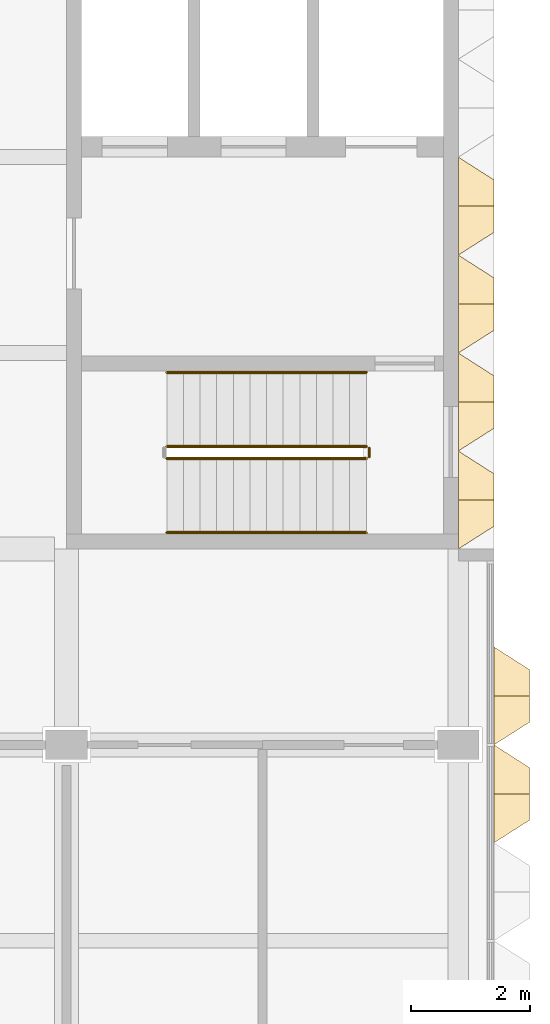
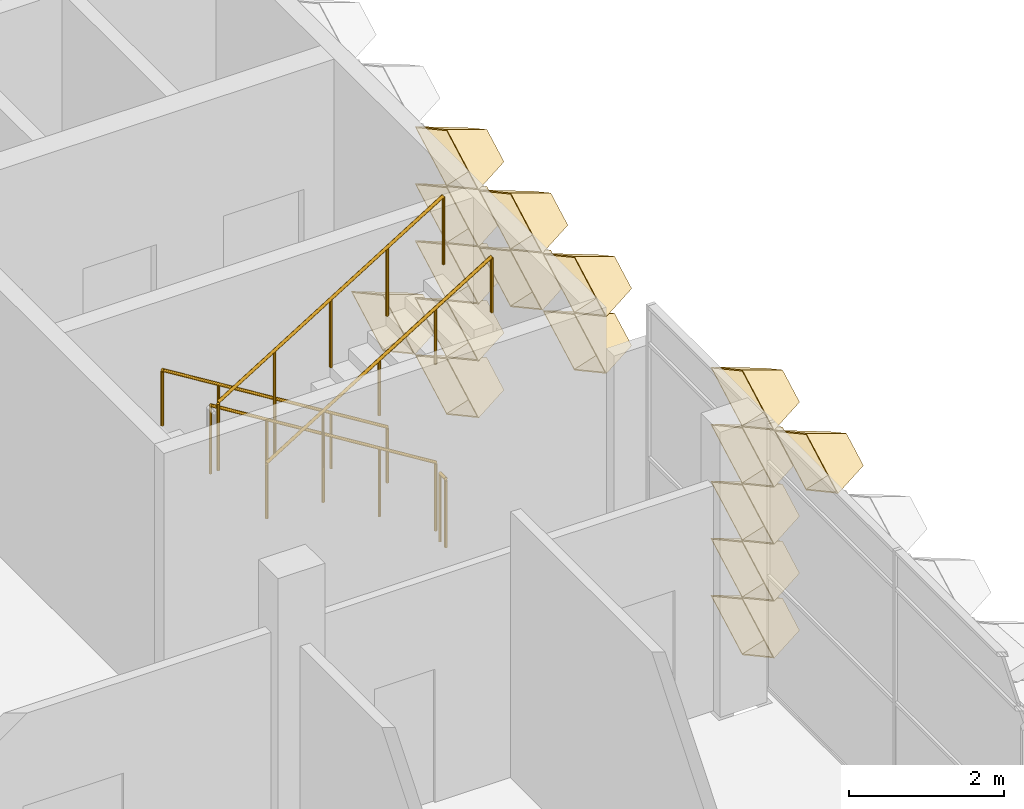
# One storey, part 23 of 29: 16 coverings, 5 railings.
"""IFC4 building model written with IfcOpenShell, lengths in metres."""

import ifcopenshell
import ifcopenshell.guid

model = None  # the IFC model being written
_history = None  # IfcOwnerHistory: only IFC2X3 demands one
_inside = {}  # id of a spatial element -> (the spatial element, [elements in it])
_under = {}  # id of a project, library or spatial element -> (it, [spatial elements below it])
_declared = {}  # id of a project -> (the project, [libraries it declares])
_typed = {}  # id of a type object -> (the type object, [elements of that type])
_made_of = {}  # id of a material, layer set ... -> (it, [elements and type objects made of it])


def new_model(schema):
    """Start an empty IFC model of exactly this schema.

    Asked for "IFC4X3", IfcOpenShell would pick the latest addendum, in which some entities
    have other attributes; the version numbers below select the first issue.
    IFC2X3 requires an IfcOwnerHistory on every rooted entity: one is made here for all.
    """
    global model, _history
    if schema == "IFC4X3":
        model = ifcopenshell.file(schema_version=(4, 3, 0, 0))
    else:
        model = ifcopenshell.file(schema=schema)
    _inside.clear()
    _under.clear()
    _declared.clear()
    _typed.clear()
    _made_of.clear()
    _history = None
    if model.schema == "IFC2X3":
        org = make("IfcOrganization", Name="unknown")
        user = make(
            "IfcPersonAndOrganization",
            ThePerson=make("IfcPerson", FamilyName="unknown"),
            TheOrganization=org,
        )
        app = make(
            "IfcApplication",
            ApplicationDeveloper=org,
            Version="unknown",
            ApplicationFullName="unknown",
            ApplicationIdentifier="unknown",
        )
        _history = make(
            "IfcOwnerHistory",
            OwningUser=user,
            OwningApplication=app,
            ChangeAction="ADDED",
            CreationDate=0,
        )
    return model


def make(cls, **values):
    """One entity of the class cls with the attributes given. An attribute that is None is left unset."""
    return model.create_entity(
        cls, **{name: value for name, value in values.items() if value is not None}
    )


def entity(cls, *values):
    """Any entity or typed value of the class cls, its attributes in the order of the schema. None: left unset."""
    e = model.create_entity(cls)
    for i, value in enumerate(values):
        if value is not None:
            e[i] = value
    return e


def rooted(cls, **values):
    """An entity with a GlobalId (a new one), such as an element, a storey or a relation."""
    return make(cls, GlobalId=ifcopenshell.guid.new(), OwnerHistory=_history, **values)


def si_unit(unit_type, name, prefix=None):
    """IfcSIUnit, for example si_unit("LENGTHUNIT", "METRE", prefix="MILLI")."""
    return make("IfcSIUnit", UnitType=unit_type, Prefix=prefix, Name=name)


def assignment(units):
    """IfcUnitAssignment: the units of a project."""
    return None if units is None else make("IfcUnitAssignment", Units=units)


def point(xyz):
    """IfcCartesianPoint."""
    return None if xyz is None else make("IfcCartesianPoint", Coordinates=xyz)


def direction(xyz):
    """IfcDirection."""
    return None if xyz is None else make("IfcDirection", DirectionRatios=xyz)


def frame(location, z_axis=None, x_axis=None):
    """IfcAxis2Placement3D, a coordinate frame: its origin and axes. An axis left out is left unset."""
    return make(
        "IfcAxis2Placement3D",
        Location=point(location),
        Axis=direction(z_axis),
        RefDirection=direction(x_axis),
    )


def frame_2d(location, x_axis=None):
    """IfcAxis2Placement2D, a coordinate frame in the plane: its origin and x axis."""
    return make(
        "IfcAxis2Placement2D", Location=point(location), RefDirection=direction(x_axis)
    )


def origin():
    """The frame at (0, 0, 0) with its axes left unset."""
    return frame((0.0, 0.0, 0.0))


def origin_2d():
    """The frame at (0, 0) in the plane with its x axis left unset."""
    return frame_2d((0.0, 0.0))


def place(relative_to, where):
    """IfcLocalPlacement: puts the frame where relative to a parent placement (None: the world)."""
    return make(
        "IfcLocalPlacement", PlacementRelTo=relative_to, RelativePlacement=where
    )


def context(
    kind, dimensions, precision=None, world=None, true_north=None, identifier=None
):
    """IfcGeometricRepresentationContext, for example the 3D "Model" context."""
    return make(
        "IfcGeometricRepresentationContext",
        ContextIdentifier=identifier,
        ContextType=kind,
        CoordinateSpaceDimension=dimensions,
        Precision=precision,
        WorldCoordinateSystem=world,
        TrueNorth=true_north,
    )


def subcontext(parent, identifier, kind, view, scale=None):
    """IfcGeometricRepresentationSubContext, for example "Body" below "Model"."""
    return make(
        "IfcGeometricRepresentationSubContext",
        ContextIdentifier=identifier,
        ContextType=kind,
        ParentContext=parent,
        TargetScale=scale,
        TargetView=view,
    )


def project(units=None, contexts=None):
    """IfcProject with its units and contexts."""
    return rooted(
        "IfcProject",
        Name="project",
        RepresentationContexts=contexts,
        UnitsInContext=assignment(units),
    )


def spatial(cls, under=None, at=None, **own):
    """A site, building, storey or space (cls), placed at a placement, below another one or the project."""
    s = rooted(cls, ObjectPlacement=at, **own)
    if under is not None:
        _under.setdefault(under.id(), (under, []))[1].append(s)
    return s


def profile(cls, at=None, kind="AREA", **sizes):
    """A parametric profile (cls). Its sizes go by their IFC names, for example OverallWidth=200.0."""
    return make(cls, ProfileType=kind, Position=at, **sizes)


def circle(**sizes):
    """IfcCircleProfileDef."""
    return profile("IfcCircleProfileDef", **sizes)


def extrude(swept, where, along, depth):
    """IfcExtrudedAreaSolid: the profile swept, set in the frame where, extruded along a direction by depth."""
    return make(
        "IfcExtrudedAreaSolid",
        SweptArea=swept,
        Position=where,
        ExtrudedDirection=direction(along),
        Depth=depth,
    )


def shape(context_of_items, identifier, shape_type, items):
    """IfcShapeRepresentation: the items that make up one representation, for example the "Body"."""
    return make(
        "IfcShapeRepresentation",
        ContextOfItems=context_of_items,
        RepresentationIdentifier=identifier,
        RepresentationType=shape_type,
        Items=items,
    )


def material(Name=None, Category=None):
    """IfcMaterial."""
    return make("IfcMaterial", Name=Name, Category=Category)


def layer(
    of_material, thickness, ventilated=None, Name=None, Category=None, Priority=None
):
    """IfcMaterialLayer: one layer of a wall or slab, of a material (None: an air gap)."""
    return make(
        "IfcMaterialLayer",
        Material=of_material,
        LayerThickness=thickness,
        IsVentilated=ventilated,
        Name=Name,
        Category=Category,
        Priority=Priority,
    )


def layer_set(layers, Name=None):
    """IfcMaterialLayerSet."""
    return make("IfcMaterialLayerSet", MaterialLayers=layers, LayerSetName=Name)


def made_of(thing, what):
    """Note that an element or type object is made of a material, layer set ...; save() writes the relation."""
    if what is not None:
        _made_of.setdefault(what.id(), (what, []))[1].append(thing)
    return thing


def type_object(cls, material=None, **own):
    """A type object (cls), such as IfcWallType, which elements share."""
    return made_of(rooted(cls, **own), material)


def element(
    cls,
    number,
    at=None,
    inside=None,
    cuts=None,
    type_object=None,
    material=None,
    context=None,
    identifier="Body",
    shape_type=None,
    held_by="IfcProductDefinitionShape",
    body=None,
    shapes=None,
    **own,
):
    """One element of the class cls, such as IfcWall. Its Tag is "e" and its number.

    at: its placement. inside: the storey or other place that contains it. cuts: it is an
    opening in that element (IfcRelVoidsElement). A single representation is given by context,
    identifier, shape_type and body (its items); several are given by shapes. held_by: the class
    of the entity that holds the representations. save() writes the other relations.
    """
    e = rooted(cls, Tag="e%d" % number, ObjectPlacement=at, **own)
    if body is not None:
        shapes = [shape(context, identifier, shape_type, body)]
    if shapes is not None:
        e.Representation = make(held_by, Representations=shapes)
    if inside is not None:
        _inside.setdefault(inside.id(), (inside, []))[1].append(e)
    if cuts is not None:
        rooted(
            "IfcRelVoidsElement", RelatingBuildingElement=cuts, RelatedOpeningElement=e
        )
    if type_object is not None:
        _typed.setdefault(type_object.id(), (type_object, []))[1].append(e)
    return made_of(e, material)


def aggregate(whole, parts):
    """IfcRelAggregates: a whole, such as a stair, and the parts it consists of."""
    return rooted("IfcRelAggregates", RelatingObject=whole, RelatedObjects=parts)


def save(model, path):
    """Write the relations noted so far, then the file.

    IfcRelAggregates (storeys below a building ...), IfcRelContainedInSpatialStructure (elements
    in a storey), IfcRelDefinesByType, IfcRelAssociatesMaterial and IfcRelDeclares: one each for
    every whole, place, type object, material and project.
    """
    for whole, parts in _under.values():
        aggregate(whole, parts)
    for where, things in _inside.values():
        rooted(
            "IfcRelContainedInSpatialStructure",
            RelatedElements=things,
            RelatingStructure=where,
        )
    for kind, things in _typed.values():
        rooted("IfcRelDefinesByType", RelatedObjects=things, RelatingType=kind)
    for what, things in _made_of.values():
        rooted("IfcRelAssociatesMaterial", RelatedObjects=things, RelatingMaterial=what)
    for by, libraries in _declared.values():
        rooted("IfcRelDeclares", RelatingContext=by, RelatedDefinitions=libraries)
    model.write(path)


model = new_model("IFC4")

# Units and contexts
model_context = context("Model", 3, precision=1e-05, world=origin(), true_north=direction((0.0, 1.0)))
body_context = subcontext(model_context, "Body", "Model", "MODEL_VIEW")
ifc_project = project(units=[si_unit("LENGTHUNIT", "METRE"), si_unit("AREAUNIT", "SQUARE_METRE"), si_unit("VOLUMEUNIT", "CUBIC_METRE"), si_unit("PLANEANGLEUNIT", "RADIAN"), si_unit("MASSUNIT", "GRAM", prefix="KILO")], contexts=[model_context])

# Site, building, storey
site_placement = place(None, origin())
site = spatial("IfcSite", under=ifc_project, at=site_placement, CompositionType="ELEMENT")
building_placement = place(site_placement, origin())
building = spatial("IfcBuilding", under=site, at=building_placement, Name="Lantern Court Research Institute", CompositionType="ELEMENT")
storey_placement = place(building_placement, frame((0.0, 0.0, 32.39990234375)))
storey = spatial("IfcBuildingStorey", under=building, at=storey_placement, Name="L07", CompositionType="ELEMENT", Elevation=32.39990234375)

# Coverings
ifc_material_1 = material(Name="Anodised aluminium", Category="aluminium")
ifc_layer = layer(ifc_material_1, 0.01611328125)
ifc_layer_set = layer_set([ifc_layer], Name="Anodised aluminium")
covering_type = type_object("IfcCoveringType", Name="Fin cassette 1650 x 900 x 600 aluminium", PredefinedType="CLADDING", material=ifc_layer_set)
covering_1_placement = place(storey_placement, frame((79.199951171875, 17.324951171875, 0.4501953125), z_axis=(1.0, 0.0, 0.0), x_axis=(0.0, 1.0, 0.0)))
cartesian_point_1 = entity("IfcCartesianPoint", [0.824951171875, 0.0])
cartesian_point_2 = entity("IfcCartesianPoint", [0.79150390625, 0.0])
cartesian_point_3 = entity("IfcCartesianPoint", [0.44189453125, 0.0])
cartesian_point_4 = entity("IfcCartesianPoint", [0.43359375, 0.0])
element("IfcCovering", 1, at=covering_1_placement, inside=storey, type_object=covering_type, Name="Fin cassette V5E-L07 1.11", PredefinedType="CLADDING", context=body_context, shape_type="SweptSolid", body=[
    entity("IfcExtrudedAreaSolidTapered", entity("IfcArbitraryProfileDefWithVoids", "AREA", None, entity("IfcPolyline", [cartesian_point_1, entity("IfcCartesianPoint", [0.0, 0.449951171875]), entity("IfcCartesianPoint", [-0.824951171875, 0.0]), entity("IfcCartesianPoint", [0.0, -0.449951171875]), cartesian_point_1]), [entity("IfcPolyline", [cartesian_point_2, entity("IfcCartesianPoint", [0.0, 0.431884765625]), entity("IfcCartesianPoint", [-0.79150390625, 0.0]), entity("IfcCartesianPoint", [0.0, -0.431884765625]), cartesian_point_2])]), entity("IfcAxis2Placement3D", entity("IfcCartesianPoint", [0.0, 0.0, 0.0])), entity("IfcDirection", [0.0, 0.0, 1.0]), 0.60009765625, entity("IfcArbitraryProfileDefWithVoids", "AREA", None, entity("IfcPolyline", [cartesian_point_3, entity("IfcCartesianPoint", [0.0, 0.240966796875]), entity("IfcCartesianPoint", [-0.44189453125, 0.0]), entity("IfcCartesianPoint", [0.0, -0.240966796875]), cartesian_point_3]), [entity("IfcPolyline", [cartesian_point_4, entity("IfcCartesianPoint", [0.0, 0.236572265625]), entity("IfcCartesianPoint", [-0.43359375, 0.0]), entity("IfcCartesianPoint", [0.0, -0.236572265625]), cartesian_point_4])])),
])
covering_2_placement = place(storey_placement, frame((79.199951171875, 18.97509765625, 0.4501953125), z_axis=(1.0, 0.0, 0.0), x_axis=(0.0, 1.0, 0.0)))
cartesian_point_5 = entity("IfcCartesianPoint", [0.824951171875, 0.0])
cartesian_point_6 = entity("IfcCartesianPoint", [0.79150390625, 0.0])
cartesian_point_7 = entity("IfcCartesianPoint", [0.44189453125, 0.0])
cartesian_point_8 = entity("IfcCartesianPoint", [0.43359375, 0.0])
element("IfcCovering", 2, at=covering_2_placement, inside=storey, type_object=covering_type, Name="Fin cassette V5E-L07 1.12", PredefinedType="CLADDING", context=body_context, shape_type="SweptSolid", body=[
    entity("IfcExtrudedAreaSolidTapered", entity("IfcArbitraryProfileDefWithVoids", "AREA", None, entity("IfcPolyline", [cartesian_point_5, entity("IfcCartesianPoint", [0.0, 0.449951171875]), entity("IfcCartesianPoint", [-0.824951171875, 0.0]), entity("IfcCartesianPoint", [0.0, -0.449951171875]), cartesian_point_5]), [entity("IfcPolyline", [cartesian_point_6, entity("IfcCartesianPoint", [0.0, 0.431884765625]), entity("IfcCartesianPoint", [-0.79150390625, 0.0]), entity("IfcCartesianPoint", [0.0, -0.431884765625]), cartesian_point_6])]), entity("IfcAxis2Placement3D", entity("IfcCartesianPoint", [0.0, 0.0, 0.0])), entity("IfcDirection", [0.0, 0.0, 1.0]), 0.60009765625, entity("IfcArbitraryProfileDefWithVoids", "AREA", None, entity("IfcPolyline", [cartesian_point_7, entity("IfcCartesianPoint", [0.0, 0.240966796875]), entity("IfcCartesianPoint", [-0.44189453125, 0.0]), entity("IfcCartesianPoint", [0.0, -0.240966796875]), cartesian_point_7]), [entity("IfcPolyline", [cartesian_point_8, entity("IfcCartesianPoint", [0.0, 0.236572265625]), entity("IfcCartesianPoint", [-0.43359375, 0.0]), entity("IfcCartesianPoint", [0.0, -0.236572265625]), cartesian_point_8])])),
])
covering_3_placement = place(storey_placement, frame((79.199951171875, 17.324951171875, 1.35009765625), z_axis=(1.0, 0.0, 0.0), x_axis=(0.0, 1.0, 0.0)))
cartesian_point_9 = entity("IfcCartesianPoint", [0.824951171875, 0.0])
cartesian_point_10 = entity("IfcCartesianPoint", [0.79150390625, 0.0])
cartesian_point_11 = entity("IfcCartesianPoint", [0.44189453125, 0.0])
cartesian_point_12 = entity("IfcCartesianPoint", [0.43359375, 0.0])
element("IfcCovering", 3, at=covering_3_placement, inside=storey, type_object=covering_type, Name="Fin cassette V5E-L07 2.11", PredefinedType="CLADDING", context=body_context, shape_type="SweptSolid", body=[
    entity("IfcExtrudedAreaSolidTapered", entity("IfcArbitraryProfileDefWithVoids", "AREA", None, entity("IfcPolyline", [cartesian_point_9, entity("IfcCartesianPoint", [0.0, 0.449951171875]), entity("IfcCartesianPoint", [-0.824951171875, 0.0]), entity("IfcCartesianPoint", [0.0, -0.449951171875]), cartesian_point_9]), [entity("IfcPolyline", [cartesian_point_10, entity("IfcCartesianPoint", [0.0, 0.431884765625]), entity("IfcCartesianPoint", [-0.79150390625, 0.0]), entity("IfcCartesianPoint", [0.0, -0.431884765625]), cartesian_point_10])]), entity("IfcAxis2Placement3D", entity("IfcCartesianPoint", [0.0, 0.0, 0.0])), entity("IfcDirection", [0.0, 0.0, 1.0]), 0.60009765625, entity("IfcArbitraryProfileDefWithVoids", "AREA", None, entity("IfcPolyline", [cartesian_point_11, entity("IfcCartesianPoint", [0.0, 0.240966796875]), entity("IfcCartesianPoint", [-0.44189453125, 0.0]), entity("IfcCartesianPoint", [0.0, -0.240966796875]), cartesian_point_11]), [entity("IfcPolyline", [cartesian_point_12, entity("IfcCartesianPoint", [0.0, 0.236572265625]), entity("IfcCartesianPoint", [-0.43359375, 0.0]), entity("IfcCartesianPoint", [0.0, -0.236572265625]), cartesian_point_12])])),
])
covering_4_placement = place(storey_placement, frame((79.199951171875, 17.324951171875, 2.25), z_axis=(1.0, 0.0, 0.0), x_axis=(0.0, 1.0, 0.0)))
cartesian_point_13 = entity("IfcCartesianPoint", [0.824951171875, 0.0])
cartesian_point_14 = entity("IfcCartesianPoint", [0.79150390625, 0.0])
cartesian_point_15 = entity("IfcCartesianPoint", [0.44189453125, 0.0])
cartesian_point_16 = entity("IfcCartesianPoint", [0.43359375, 0.0])
element("IfcCovering", 4, at=covering_4_placement, inside=storey, type_object=covering_type, Name="Fin cassette V5E-L07 3.11", PredefinedType="CLADDING", context=body_context, shape_type="SweptSolid", body=[
    entity("IfcExtrudedAreaSolidTapered", entity("IfcArbitraryProfileDefWithVoids", "AREA", None, entity("IfcPolyline", [cartesian_point_13, entity("IfcCartesianPoint", [0.0, 0.449951171875]), entity("IfcCartesianPoint", [-0.824951171875, 0.0]), entity("IfcCartesianPoint", [0.0, -0.449951171875]), cartesian_point_13]), [entity("IfcPolyline", [cartesian_point_14, entity("IfcCartesianPoint", [0.0, 0.431884765625]), entity("IfcCartesianPoint", [-0.79150390625, 0.0]), entity("IfcCartesianPoint", [0.0, -0.431884765625]), cartesian_point_14])]), entity("IfcAxis2Placement3D", entity("IfcCartesianPoint", [0.0, 0.0, 0.0])), entity("IfcDirection", [0.0, 0.0, 1.0]), 0.60009765625, entity("IfcArbitraryProfileDefWithVoids", "AREA", None, entity("IfcPolyline", [cartesian_point_15, entity("IfcCartesianPoint", [0.0, 0.240966796875]), entity("IfcCartesianPoint", [-0.44189453125, 0.0]), entity("IfcCartesianPoint", [0.0, -0.240966796875]), cartesian_point_15]), [entity("IfcPolyline", [cartesian_point_16, entity("IfcCartesianPoint", [0.0, 0.236572265625]), entity("IfcCartesianPoint", [-0.43359375, 0.0]), entity("IfcCartesianPoint", [0.0, -0.236572265625]), cartesian_point_16])])),
])
covering_5_placement = place(storey_placement, frame((79.199951171875, 14.02490234375, 3.150146484375), z_axis=(1.0, 0.0, 0.0), x_axis=(0.0, 1.0, 0.0)))
cartesian_point_17 = entity("IfcCartesianPoint", [0.824951171875, 0.0])
cartesian_point_18 = entity("IfcCartesianPoint", [0.79150390625, 0.0])
cartesian_point_19 = entity("IfcCartesianPoint", [0.44189453125, 0.0])
cartesian_point_20 = entity("IfcCartesianPoint", [0.43359375, 0.0])
element("IfcCovering", 5, at=covering_5_placement, inside=storey, type_object=covering_type, Name="Fin cassette V5E-L07 4.9", PredefinedType="CLADDING", context=body_context, shape_type="SweptSolid", body=[
    entity("IfcExtrudedAreaSolidTapered", entity("IfcArbitraryProfileDefWithVoids", "AREA", None, entity("IfcPolyline", [cartesian_point_17, entity("IfcCartesianPoint", [0.0, 0.449951171875]), entity("IfcCartesianPoint", [-0.824951171875, 0.0]), entity("IfcCartesianPoint", [0.0, -0.449951171875]), cartesian_point_17]), [entity("IfcPolyline", [cartesian_point_18, entity("IfcCartesianPoint", [0.0, 0.431884765625]), entity("IfcCartesianPoint", [-0.79150390625, 0.0]), entity("IfcCartesianPoint", [0.0, -0.431884765625]), cartesian_point_18])]), entity("IfcAxis2Placement3D", entity("IfcCartesianPoint", [0.0, 0.0, 0.0])), entity("IfcDirection", [0.0, 0.0, 1.0]), 0.60009765625, entity("IfcArbitraryProfileDefWithVoids", "AREA", None, entity("IfcPolyline", [cartesian_point_19, entity("IfcCartesianPoint", [0.0, 0.240966796875]), entity("IfcCartesianPoint", [-0.44189453125, 0.0]), entity("IfcCartesianPoint", [0.0, -0.240966796875]), cartesian_point_19]), [entity("IfcPolyline", [cartesian_point_20, entity("IfcCartesianPoint", [0.0, 0.236572265625]), entity("IfcCartesianPoint", [-0.43359375, 0.0]), entity("IfcCartesianPoint", [0.0, -0.236572265625]), cartesian_point_20])])),
])
covering_6_placement = place(storey_placement, frame((79.199951171875, 15.675048828125, 3.150146484375), z_axis=(1.0, 0.0, 0.0), x_axis=(0.0, 1.0, 0.0)))
cartesian_point_21 = entity("IfcCartesianPoint", [0.824951171875, 0.0])
cartesian_point_22 = entity("IfcCartesianPoint", [0.79150390625, 0.0])
cartesian_point_23 = entity("IfcCartesianPoint", [0.44189453125, 0.0])
cartesian_point_24 = entity("IfcCartesianPoint", [0.43359375, 0.0])
element("IfcCovering", 6, at=covering_6_placement, inside=storey, type_object=covering_type, Name="Fin cassette V5E-L07 4.10", PredefinedType="CLADDING", context=body_context, shape_type="SweptSolid", body=[
    entity("IfcExtrudedAreaSolidTapered", entity("IfcArbitraryProfileDefWithVoids", "AREA", None, entity("IfcPolyline", [cartesian_point_21, entity("IfcCartesianPoint", [0.0, 0.449951171875]), entity("IfcCartesianPoint", [-0.824951171875, 0.0]), entity("IfcCartesianPoint", [0.0, -0.449951171875]), cartesian_point_21]), [entity("IfcPolyline", [cartesian_point_22, entity("IfcCartesianPoint", [0.0, 0.431884765625]), entity("IfcCartesianPoint", [-0.79150390625, 0.0]), entity("IfcCartesianPoint", [0.0, -0.431884765625]), cartesian_point_22])]), entity("IfcAxis2Placement3D", entity("IfcCartesianPoint", [0.0, 0.0, 0.0])), entity("IfcDirection", [0.0, 0.0, 1.0]), 0.60009765625, entity("IfcArbitraryProfileDefWithVoids", "AREA", None, entity("IfcPolyline", [cartesian_point_23, entity("IfcCartesianPoint", [0.0, 0.240966796875]), entity("IfcCartesianPoint", [-0.44189453125, 0.0]), entity("IfcCartesianPoint", [0.0, -0.240966796875]), cartesian_point_23]), [entity("IfcPolyline", [cartesian_point_24, entity("IfcCartesianPoint", [0.0, 0.236572265625]), entity("IfcCartesianPoint", [-0.43359375, 0.0]), entity("IfcCartesianPoint", [0.0, -0.236572265625]), cartesian_point_24])])),
])
covering_7_placement = place(storey_placement, frame((79.199951171875, 17.324951171875, 3.150146484375), z_axis=(1.0, 0.0, 0.0), x_axis=(0.0, 1.0, 0.0)))
cartesian_point_25 = entity("IfcCartesianPoint", [0.824951171875, 0.0])
cartesian_point_26 = entity("IfcCartesianPoint", [0.79150390625, 0.0])
cartesian_point_27 = entity("IfcCartesianPoint", [0.44189453125, 0.0])
cartesian_point_28 = entity("IfcCartesianPoint", [0.43359375, 0.0])
element("IfcCovering", 7, at=covering_7_placement, inside=storey, type_object=covering_type, Name="Fin cassette V5E-L07 4.11", PredefinedType="CLADDING", context=body_context, shape_type="SweptSolid", body=[
    entity("IfcExtrudedAreaSolidTapered", entity("IfcArbitraryProfileDefWithVoids", "AREA", None, entity("IfcPolyline", [cartesian_point_25, entity("IfcCartesianPoint", [0.0, 0.449951171875]), entity("IfcCartesianPoint", [-0.824951171875, 0.0]), entity("IfcCartesianPoint", [0.0, -0.449951171875]), cartesian_point_25]), [entity("IfcPolyline", [cartesian_point_26, entity("IfcCartesianPoint", [0.0, 0.431884765625]), entity("IfcCartesianPoint", [-0.79150390625, 0.0]), entity("IfcCartesianPoint", [0.0, -0.431884765625]), cartesian_point_26])]), entity("IfcAxis2Placement3D", entity("IfcCartesianPoint", [0.0, 0.0, 0.0])), entity("IfcDirection", [0.0, 0.0, 1.0]), 0.60009765625, entity("IfcArbitraryProfileDefWithVoids", "AREA", None, entity("IfcPolyline", [cartesian_point_27, entity("IfcCartesianPoint", [0.0, 0.240966796875]), entity("IfcCartesianPoint", [-0.44189453125, 0.0]), entity("IfcCartesianPoint", [0.0, -0.240966796875]), cartesian_point_27]), [entity("IfcPolyline", [cartesian_point_28, entity("IfcCartesianPoint", [0.0, 0.236572265625]), entity("IfcCartesianPoint", [-0.43359375, 0.0]), entity("IfcCartesianPoint", [0.0, -0.236572265625]), cartesian_point_28])])),
])
covering_8_placement = place(storey_placement, frame((79.199951171875, 14.02490234375, 4.050048828125), z_axis=(1.0, 0.0, 0.0), x_axis=(0.0, 1.0, 0.0)))
cartesian_point_29 = entity("IfcCartesianPoint", [0.824951171875, 0.0])
cartesian_point_30 = entity("IfcCartesianPoint", [0.79150390625, 0.0])
cartesian_point_31 = entity("IfcCartesianPoint", [0.44189453125, 0.0])
cartesian_point_32 = entity("IfcCartesianPoint", [0.43359375, 0.0])
element("IfcCovering", 8, at=covering_8_placement, inside=storey, type_object=covering_type, Name="Fin cassette V5E-L07 5.9", PredefinedType="CLADDING", context=body_context, shape_type="SweptSolid", body=[
    entity("IfcExtrudedAreaSolidTapered", entity("IfcArbitraryProfileDefWithVoids", "AREA", None, entity("IfcPolyline", [cartesian_point_29, entity("IfcCartesianPoint", [0.0, 0.449951171875]), entity("IfcCartesianPoint", [-0.824951171875, 0.0]), entity("IfcCartesianPoint", [0.0, -0.449951171875]), cartesian_point_29]), [entity("IfcPolyline", [cartesian_point_30, entity("IfcCartesianPoint", [0.0, 0.431884765625]), entity("IfcCartesianPoint", [-0.79150390625, 0.0]), entity("IfcCartesianPoint", [0.0, -0.431884765625]), cartesian_point_30])]), entity("IfcAxis2Placement3D", entity("IfcCartesianPoint", [0.0, 0.0, 0.0])), entity("IfcDirection", [0.0, 0.0, 1.0]), 0.60009765625, entity("IfcArbitraryProfileDefWithVoids", "AREA", None, entity("IfcPolyline", [cartesian_point_31, entity("IfcCartesianPoint", [0.0, 0.240966796875]), entity("IfcCartesianPoint", [-0.44189453125, 0.0]), entity("IfcCartesianPoint", [0.0, -0.240966796875]), cartesian_point_31]), [entity("IfcPolyline", [cartesian_point_32, entity("IfcCartesianPoint", [0.0, 0.236572265625]), entity("IfcCartesianPoint", [-0.43359375, 0.0]), entity("IfcCartesianPoint", [0.0, -0.236572265625]), cartesian_point_32])])),
])
covering_9_placement = place(storey_placement, frame((79.199951171875, 15.675048828125, 4.050048828125), z_axis=(1.0, 0.0, 0.0), x_axis=(0.0, 1.0, 0.0)))
cartesian_point_33 = entity("IfcCartesianPoint", [0.824951171875, 0.0])
cartesian_point_34 = entity("IfcCartesianPoint", [0.79150390625, 0.0])
cartesian_point_35 = entity("IfcCartesianPoint", [0.44189453125, 0.0])
cartesian_point_36 = entity("IfcCartesianPoint", [0.43359375, 0.0])
element("IfcCovering", 9, at=covering_9_placement, inside=storey, type_object=covering_type, Name="Fin cassette V5E-L07 5.10", PredefinedType="CLADDING", context=body_context, shape_type="SweptSolid", body=[
    entity("IfcExtrudedAreaSolidTapered", entity("IfcArbitraryProfileDefWithVoids", "AREA", None, entity("IfcPolyline", [cartesian_point_33, entity("IfcCartesianPoint", [0.0, 0.449951171875]), entity("IfcCartesianPoint", [-0.824951171875, 0.0]), entity("IfcCartesianPoint", [0.0, -0.449951171875]), cartesian_point_33]), [entity("IfcPolyline", [cartesian_point_34, entity("IfcCartesianPoint", [0.0, 0.431884765625]), entity("IfcCartesianPoint", [-0.79150390625, 0.0]), entity("IfcCartesianPoint", [0.0, -0.431884765625]), cartesian_point_34])]), entity("IfcAxis2Placement3D", entity("IfcCartesianPoint", [0.0, 0.0, 0.0])), entity("IfcDirection", [0.0, 0.0, 1.0]), 0.60009765625, entity("IfcArbitraryProfileDefWithVoids", "AREA", None, entity("IfcPolyline", [cartesian_point_35, entity("IfcCartesianPoint", [0.0, 0.240966796875]), entity("IfcCartesianPoint", [-0.44189453125, 0.0]), entity("IfcCartesianPoint", [0.0, -0.240966796875]), cartesian_point_35]), [entity("IfcPolyline", [cartesian_point_36, entity("IfcCartesianPoint", [0.0, 0.236572265625]), entity("IfcCartesianPoint", [-0.43359375, 0.0]), entity("IfcCartesianPoint", [0.0, -0.236572265625]), cartesian_point_36])])),
])
covering_10_placement = place(storey_placement, frame((79.199951171875, 17.324951171875, 4.050048828125), z_axis=(1.0, 0.0, 0.0), x_axis=(0.0, 1.0, 0.0)))
cartesian_point_37 = entity("IfcCartesianPoint", [0.824951171875, 0.0])
cartesian_point_38 = entity("IfcCartesianPoint", [0.79150390625, 0.0])
cartesian_point_39 = entity("IfcCartesianPoint", [0.44189453125, 0.0])
cartesian_point_40 = entity("IfcCartesianPoint", [0.43359375, 0.0])
element("IfcCovering", 10, at=covering_10_placement, inside=storey, type_object=covering_type, Name="Fin cassette V5E-L07 5.11", PredefinedType="CLADDING", context=body_context, shape_type="SweptSolid", body=[
    entity("IfcExtrudedAreaSolidTapered", entity("IfcArbitraryProfileDefWithVoids", "AREA", None, entity("IfcPolyline", [cartesian_point_37, entity("IfcCartesianPoint", [0.0, 0.449951171875]), entity("IfcCartesianPoint", [-0.824951171875, 0.0]), entity("IfcCartesianPoint", [0.0, -0.449951171875]), cartesian_point_37]), [entity("IfcPolyline", [cartesian_point_38, entity("IfcCartesianPoint", [0.0, 0.431884765625]), entity("IfcCartesianPoint", [-0.79150390625, 0.0]), entity("IfcCartesianPoint", [0.0, -0.431884765625]), cartesian_point_38])]), entity("IfcAxis2Placement3D", entity("IfcCartesianPoint", [0.0, 0.0, 0.0])), entity("IfcDirection", [0.0, 0.0, 1.0]), 0.60009765625, entity("IfcArbitraryProfileDefWithVoids", "AREA", None, entity("IfcPolyline", [cartesian_point_39, entity("IfcCartesianPoint", [0.0, 0.240966796875]), entity("IfcCartesianPoint", [-0.44189453125, 0.0]), entity("IfcCartesianPoint", [0.0, -0.240966796875]), cartesian_point_39]), [entity("IfcPolyline", [cartesian_point_40, entity("IfcCartesianPoint", [0.0, 0.236572265625]), entity("IfcCartesianPoint", [-0.43359375, 0.0]), entity("IfcCartesianPoint", [0.0, -0.236572265625]), cartesian_point_40])])),
])
covering_11_placement = place(storey_placement, frame((79.800048828125, 10.72509765625, 0.4501953125), z_axis=(1.0, 0.0, 0.0), x_axis=(0.0, 1.0, 0.0)))
cartesian_point_41 = entity("IfcCartesianPoint", [0.824951171875, 0.0])
cartesian_point_42 = entity("IfcCartesianPoint", [0.79150390625, 0.0])
cartesian_point_43 = entity("IfcCartesianPoint", [0.44189453125, 0.0])
cartesian_point_44 = entity("IfcCartesianPoint", [0.43359375, 0.0])
element("IfcCovering", 11, at=covering_11_placement, inside=storey, type_object=covering_type, Name="Fin cassette V5E-L07 1.7", PredefinedType="CLADDING", context=body_context, shape_type="SweptSolid", body=[
    entity("IfcExtrudedAreaSolidTapered", entity("IfcArbitraryProfileDefWithVoids", "AREA", None, entity("IfcPolyline", [cartesian_point_41, entity("IfcCartesianPoint", [0.0, 0.449951171875]), entity("IfcCartesianPoint", [-0.824951171875, 0.0]), entity("IfcCartesianPoint", [0.0, -0.449951171875]), cartesian_point_41]), [entity("IfcPolyline", [cartesian_point_42, entity("IfcCartesianPoint", [0.0, 0.431884765625]), entity("IfcCartesianPoint", [-0.79150390625, 0.0]), entity("IfcCartesianPoint", [0.0, -0.431884765625]), cartesian_point_42])]), entity("IfcAxis2Placement3D", entity("IfcCartesianPoint", [0.0, 0.0, 0.0])), entity("IfcDirection", [0.0, 0.0, 1.0]), 0.60009765625, entity("IfcArbitraryProfileDefWithVoids", "AREA", None, entity("IfcPolyline", [cartesian_point_43, entity("IfcCartesianPoint", [0.0, 0.240966796875]), entity("IfcCartesianPoint", [-0.44189453125, 0.0]), entity("IfcCartesianPoint", [0.0, -0.240966796875]), cartesian_point_43]), [entity("IfcPolyline", [cartesian_point_44, entity("IfcCartesianPoint", [0.0, 0.236572265625]), entity("IfcCartesianPoint", [-0.43359375, 0.0]), entity("IfcCartesianPoint", [0.0, -0.236572265625]), cartesian_point_44])])),
])
covering_12_placement = place(storey_placement, frame((79.800048828125, 10.72509765625, 1.35009765625), z_axis=(1.0, 0.0, 0.0), x_axis=(0.0, 1.0, 0.0)))
cartesian_point_45 = entity("IfcCartesianPoint", [0.824951171875, 0.0])
cartesian_point_46 = entity("IfcCartesianPoint", [0.79150390625, 0.0])
cartesian_point_47 = entity("IfcCartesianPoint", [0.44189453125, 0.0])
cartesian_point_48 = entity("IfcCartesianPoint", [0.43359375, 0.0])
element("IfcCovering", 12, at=covering_12_placement, inside=storey, type_object=covering_type, Name="Fin cassette V5E-L07 2.7", PredefinedType="CLADDING", context=body_context, shape_type="SweptSolid", body=[
    entity("IfcExtrudedAreaSolidTapered", entity("IfcArbitraryProfileDefWithVoids", "AREA", None, entity("IfcPolyline", [cartesian_point_45, entity("IfcCartesianPoint", [0.0, 0.449951171875]), entity("IfcCartesianPoint", [-0.824951171875, 0.0]), entity("IfcCartesianPoint", [0.0, -0.449951171875]), cartesian_point_45]), [entity("IfcPolyline", [cartesian_point_46, entity("IfcCartesianPoint", [0.0, 0.431884765625]), entity("IfcCartesianPoint", [-0.79150390625, 0.0]), entity("IfcCartesianPoint", [0.0, -0.431884765625]), cartesian_point_46])]), entity("IfcAxis2Placement3D", entity("IfcCartesianPoint", [0.0, 0.0, 0.0])), entity("IfcDirection", [0.0, 0.0, 1.0]), 0.60009765625, entity("IfcArbitraryProfileDefWithVoids", "AREA", None, entity("IfcPolyline", [cartesian_point_47, entity("IfcCartesianPoint", [0.0, 0.240966796875]), entity("IfcCartesianPoint", [-0.44189453125, 0.0]), entity("IfcCartesianPoint", [0.0, -0.240966796875]), cartesian_point_47]), [entity("IfcPolyline", [cartesian_point_48, entity("IfcCartesianPoint", [0.0, 0.236572265625]), entity("IfcCartesianPoint", [-0.43359375, 0.0]), entity("IfcCartesianPoint", [0.0, -0.236572265625]), cartesian_point_48])])),
])
covering_13_placement = place(storey_placement, frame((79.800048828125, 10.72509765625, 2.25), z_axis=(1.0, 0.0, 0.0), x_axis=(0.0, 1.0, 0.0)))
cartesian_point_49 = entity("IfcCartesianPoint", [0.824951171875, 0.0])
cartesian_point_50 = entity("IfcCartesianPoint", [0.79150390625, 0.0])
cartesian_point_51 = entity("IfcCartesianPoint", [0.44189453125, 0.0])
cartesian_point_52 = entity("IfcCartesianPoint", [0.43359375, 0.0])
element("IfcCovering", 13, at=covering_13_placement, inside=storey, type_object=covering_type, Name="Fin cassette V5E-L07 3.7", PredefinedType="CLADDING", context=body_context, shape_type="SweptSolid", body=[
    entity("IfcExtrudedAreaSolidTapered", entity("IfcArbitraryProfileDefWithVoids", "AREA", None, entity("IfcPolyline", [cartesian_point_49, entity("IfcCartesianPoint", [0.0, 0.449951171875]), entity("IfcCartesianPoint", [-0.824951171875, 0.0]), entity("IfcCartesianPoint", [0.0, -0.449951171875]), cartesian_point_49]), [entity("IfcPolyline", [cartesian_point_50, entity("IfcCartesianPoint", [0.0, 0.431884765625]), entity("IfcCartesianPoint", [-0.79150390625, 0.0]), entity("IfcCartesianPoint", [0.0, -0.431884765625]), cartesian_point_50])]), entity("IfcAxis2Placement3D", entity("IfcCartesianPoint", [0.0, 0.0, 0.0])), entity("IfcDirection", [0.0, 0.0, 1.0]), 0.60009765625, entity("IfcArbitraryProfileDefWithVoids", "AREA", None, entity("IfcPolyline", [cartesian_point_51, entity("IfcCartesianPoint", [0.0, 0.240966796875]), entity("IfcCartesianPoint", [-0.44189453125, 0.0]), entity("IfcCartesianPoint", [0.0, -0.240966796875]), cartesian_point_51]), [entity("IfcPolyline", [cartesian_point_52, entity("IfcCartesianPoint", [0.0, 0.236572265625]), entity("IfcCartesianPoint", [-0.43359375, 0.0]), entity("IfcCartesianPoint", [0.0, -0.236572265625]), cartesian_point_52])])),
])
covering_14_placement = place(storey_placement, frame((79.800048828125, 10.72509765625, 3.150146484375), z_axis=(1.0, 0.0, 0.0), x_axis=(0.0, 1.0, 0.0)))
cartesian_point_53 = entity("IfcCartesianPoint", [0.824951171875, 0.0])
cartesian_point_54 = entity("IfcCartesianPoint", [0.79150390625, 0.0])
cartesian_point_55 = entity("IfcCartesianPoint", [0.44189453125, 0.0])
cartesian_point_56 = entity("IfcCartesianPoint", [0.43359375, 0.0])
element("IfcCovering", 14, at=covering_14_placement, inside=storey, type_object=covering_type, Name="Fin cassette V5E-L07 4.7", PredefinedType="CLADDING", context=body_context, shape_type="SweptSolid", body=[
    entity("IfcExtrudedAreaSolidTapered", entity("IfcArbitraryProfileDefWithVoids", "AREA", None, entity("IfcPolyline", [cartesian_point_53, entity("IfcCartesianPoint", [0.0, 0.449951171875]), entity("IfcCartesianPoint", [-0.824951171875, 0.0]), entity("IfcCartesianPoint", [0.0, -0.449951171875]), cartesian_point_53]), [entity("IfcPolyline", [cartesian_point_54, entity("IfcCartesianPoint", [0.0, 0.431884765625]), entity("IfcCartesianPoint", [-0.79150390625, 0.0]), entity("IfcCartesianPoint", [0.0, -0.431884765625]), cartesian_point_54])]), entity("IfcAxis2Placement3D", entity("IfcCartesianPoint", [0.0, 0.0, 0.0])), entity("IfcDirection", [0.0, 0.0, 1.0]), 0.60009765625, entity("IfcArbitraryProfileDefWithVoids", "AREA", None, entity("IfcPolyline", [cartesian_point_55, entity("IfcCartesianPoint", [0.0, 0.240966796875]), entity("IfcCartesianPoint", [-0.44189453125, 0.0]), entity("IfcCartesianPoint", [0.0, -0.240966796875]), cartesian_point_55]), [entity("IfcPolyline", [cartesian_point_56, entity("IfcCartesianPoint", [0.0, 0.236572265625]), entity("IfcCartesianPoint", [-0.43359375, 0.0]), entity("IfcCartesianPoint", [0.0, -0.236572265625]), cartesian_point_56])])),
])
covering_15_placement = place(storey_placement, frame((79.800048828125, 9.074951171875, 4.050048828125), z_axis=(1.0, 0.0, 0.0), x_axis=(0.0, 1.0, 0.0)))
cartesian_point_57 = entity("IfcCartesianPoint", [0.824951171875, 0.0])
cartesian_point_58 = entity("IfcCartesianPoint", [0.79150390625, 0.0])
cartesian_point_59 = entity("IfcCartesianPoint", [0.44189453125, 0.0])
cartesian_point_60 = entity("IfcCartesianPoint", [0.43359375, 0.0])
element("IfcCovering", 15, at=covering_15_placement, inside=storey, type_object=covering_type, Name="Fin cassette V5E-L07 5.6", PredefinedType="CLADDING", context=body_context, shape_type="SweptSolid", body=[
    entity("IfcExtrudedAreaSolidTapered", entity("IfcArbitraryProfileDefWithVoids", "AREA", None, entity("IfcPolyline", [cartesian_point_57, entity("IfcCartesianPoint", [0.0, 0.449951171875]), entity("IfcCartesianPoint", [-0.824951171875, 0.0]), entity("IfcCartesianPoint", [0.0, -0.449951171875]), cartesian_point_57]), [entity("IfcPolyline", [cartesian_point_58, entity("IfcCartesianPoint", [0.0, 0.431884765625]), entity("IfcCartesianPoint", [-0.79150390625, 0.0]), entity("IfcCartesianPoint", [0.0, -0.431884765625]), cartesian_point_58])]), entity("IfcAxis2Placement3D", entity("IfcCartesianPoint", [0.0, 0.0, 0.0])), entity("IfcDirection", [0.0, 0.0, 1.0]), 0.60009765625, entity("IfcArbitraryProfileDefWithVoids", "AREA", None, entity("IfcPolyline", [cartesian_point_59, entity("IfcCartesianPoint", [0.0, 0.240966796875]), entity("IfcCartesianPoint", [-0.44189453125, 0.0]), entity("IfcCartesianPoint", [0.0, -0.240966796875]), cartesian_point_59]), [entity("IfcPolyline", [cartesian_point_60, entity("IfcCartesianPoint", [0.0, 0.236572265625]), entity("IfcCartesianPoint", [-0.43359375, 0.0]), entity("IfcCartesianPoint", [0.0, -0.236572265625]), cartesian_point_60])])),
])
covering_16_placement = place(storey_placement, frame((79.800048828125, 10.72509765625, 4.050048828125), z_axis=(1.0, 0.0, 0.0), x_axis=(0.0, 1.0, 0.0)))
cartesian_point_61 = entity("IfcCartesianPoint", [0.824951171875, 0.0])
cartesian_point_62 = entity("IfcCartesianPoint", [0.79150390625, 0.0])
cartesian_point_63 = entity("IfcCartesianPoint", [0.44189453125, 0.0])
cartesian_point_64 = entity("IfcCartesianPoint", [0.43359375, 0.0])
element("IfcCovering", 16, at=covering_16_placement, inside=storey, type_object=covering_type, Name="Fin cassette V5E-L07 5.7", PredefinedType="CLADDING", context=body_context, shape_type="SweptSolid", body=[
    entity("IfcExtrudedAreaSolidTapered", entity("IfcArbitraryProfileDefWithVoids", "AREA", None, entity("IfcPolyline", [cartesian_point_61, entity("IfcCartesianPoint", [0.0, 0.449951171875]), entity("IfcCartesianPoint", [-0.824951171875, 0.0]), entity("IfcCartesianPoint", [0.0, -0.449951171875]), cartesian_point_61]), [entity("IfcPolyline", [cartesian_point_62, entity("IfcCartesianPoint", [0.0, 0.431884765625]), entity("IfcCartesianPoint", [-0.79150390625, 0.0]), entity("IfcCartesianPoint", [0.0, -0.431884765625]), cartesian_point_62])]), entity("IfcAxis2Placement3D", entity("IfcCartesianPoint", [0.0, 0.0, 0.0])), entity("IfcDirection", [0.0, 0.0, 1.0]), 0.60009765625, entity("IfcArbitraryProfileDefWithVoids", "AREA", None, entity("IfcPolyline", [cartesian_point_63, entity("IfcCartesianPoint", [0.0, 0.240966796875]), entity("IfcCartesianPoint", [-0.44189453125, 0.0]), entity("IfcCartesianPoint", [0.0, -0.240966796875]), cartesian_point_63]), [entity("IfcPolyline", [cartesian_point_64, entity("IfcCartesianPoint", [0.0, 0.236572265625]), entity("IfcCartesianPoint", [-0.43359375, 0.0]), entity("IfcCartesianPoint", [0.0, -0.236572265625]), cartesian_point_64])])),
])

# Railings
ifc_material_2 = material(Name="Structural steel S355", Category="steel")
railing_type_1 = type_object("IfcRailingType", Name="Stair guard 1100 steel", PredefinedType="GUARDRAIL", material=ifc_material_2)
railing_1_placement = place(storey_placement, frame((77.64990234375, 14.925048828125, 0.173095703125)))
element("IfcRailing", 17, at=railing_1_placement, inside=storey, type_object=railing_type_1, Name="L07 ST-T2 stair guard 1", PredefinedType="GUARDRAIL", context=body_context, shape_type="SweptSolid", body=[
    extrude(circle(Radius=0.02392578125, at=origin_2d()), frame((0.0, 0.0, 1.076171875), z_axis=(-0.850606129759, 0.0, 0.525803396734), x_axis=(0.0, -1.0, 0.0)), (0.0, 0.0, 1.0), 3.949951171875),
    extrude(circle(Radius=0.02099609375, at=origin_2d()), origin(), (0.0, 0.0, 1.0), 1.052001953125),
    extrude(circle(Radius=0.02099609375, at=origin_2d()), frame((-0.83984375, 0.0, 0.519287109375)), (0.0, 0.0, 1.0), 1.052001953125),
    extrude(circle(Radius=0.02099609375, at=origin_2d()), frame((-1.679931640625, 0.0, 1.03857421875)), (0.0, 0.0, 1.0), 1.052001953125),
    extrude(circle(Radius=0.02099609375, at=origin_2d()), frame((-2.52001953125, 0.0, 1.5576171875)), (0.0, 0.0, 1.0), 1.052001953125),
    extrude(circle(Radius=0.02099609375, at=origin_2d()), frame((-3.35986328125, 0.0, 2.076904296875)), (0.0, 0.0, 1.0), 1.052001953125),
])
railing_2_placement = place(storey_placement, frame((74.2900390625, 14.72509765625, 2.423095703125)))
element("IfcRailing", 18, at=railing_2_placement, inside=storey, type_object=railing_type_1, Name="L07 ST-T2 stair guard 3", PredefinedType="GUARDRAIL", context=body_context, shape_type="SweptSolid", body=[
    extrude(circle(Radius=0.02392578125, at=origin_2d()), frame((0.0, 0.0, 1.076171875), z_axis=(0.850606129759, 0.0, 0.525803396734), x_axis=(0.0, 1.0, 0.0)), (0.0, 0.0, 1.0), 3.949951171875),
    extrude(circle(Radius=0.02099609375, at=origin_2d()), origin(), (0.0, 0.0, 1.0), 1.052001953125),
    extrude(circle(Radius=0.02099609375, at=origin_2d()), frame((0.83984375, 0.0, 0.519287109375)), (0.0, 0.0, 1.0), 1.052001953125),
    extrude(circle(Radius=0.02099609375, at=origin_2d()), frame((1.679931640625, 0.0, 1.03857421875)), (0.0, 0.0, 1.0), 1.052001953125),
    extrude(circle(Radius=0.02099609375, at=origin_2d()), frame((2.52001953125, 0.0, 1.5576171875)), (0.0, 0.0, 1.0), 1.052001953125),
    extrude(circle(Radius=0.02099609375, at=origin_2d()), frame((3.35986328125, 0.0, 2.076904296875)), (0.0, 0.0, 1.0), 1.052001953125),
])
railing_3_placement = place(storey_placement, frame((77.699951171875, 14.89990234375, 0.0)))
element("IfcRailing", 19, at=railing_3_placement, inside=storey, type_object=railing_type_1, Name="L07 ST-T2 stair guard 4", PredefinedType="GUARDRAIL", context=body_context, shape_type="SweptSolid", body=[
    extrude(circle(Radius=0.02392578125, at=origin_2d()), frame((0.0, 0.0, 1.076171875), z_axis=(0.0, -1.0, 0.0), x_axis=(1.0, 0.0, 0.0)), (0.0, 0.0, 1.0), 0.14990234375),
    extrude(circle(Radius=0.02099609375, at=origin_2d()), origin(), (0.0, 0.0, 1.0), 1.052001953125),
    extrude(circle(Radius=0.02099609375, at=origin_2d()), frame((0.0, -0.14990234375, 0.0)), (0.0, 0.0, 1.0), 1.052001953125),
])
ifc_material_3 = material(Name="Stainless steel 316", Category="steel")
railing_type_2 = type_object("IfcRailingType", Name="Stair handrail 900 steel", PredefinedType="HANDRAIL", material=ifc_material_3)
railing_4_placement = place(storey_placement, frame((77.64990234375, 16.175048828125, 0.173095703125)))
element("IfcRailing", 20, at=railing_4_placement, inside=storey, type_object=railing_type_2, Name="L07 ST-T2 stair handrail 1", PredefinedType="HANDRAIL", context=body_context, shape_type="SweptSolid", body=[
    extrude(circle(Radius=0.02392578125, at=origin_2d()), frame((0.0, 0.0, 0.8759765625), z_axis=(-0.850606129759, 0.0, 0.525803396734), x_axis=(0.0, -1.0, 0.0)), (0.0, 0.0, 1.0), 3.949951171875),
    extrude(circle(Radius=0.02099609375, at=origin_2d()), origin(), (0.0, 0.0, 1.0), 0.851806640625),
    extrude(circle(Radius=0.02099609375, at=origin_2d()), frame((-0.83984375, 0.0, 0.519287109375)), (0.0, 0.0, 1.0), 0.851806640625),
    extrude(circle(Radius=0.02099609375, at=origin_2d()), frame((-1.679931640625, 0.0, 1.03857421875)), (0.0, 0.0, 1.0), 0.851806640625),
    extrude(circle(Radius=0.02099609375, at=origin_2d()), frame((-2.52001953125, 0.0, 1.5576171875)), (0.0, 0.0, 1.0), 0.851806640625),
    extrude(circle(Radius=0.02099609375, at=origin_2d()), frame((-3.35986328125, 0.0, 2.076904296875)), (0.0, 0.0, 1.0), 0.851806640625),
])
railing_5_placement = place(storey_placement, frame((74.2900390625, 13.47509765625, 2.423095703125)))
element("IfcRailing", 21, at=railing_5_placement, inside=storey, type_object=railing_type_2, Name="L07 ST-T2 stair handrail 2", PredefinedType="HANDRAIL", context=body_context, shape_type="SweptSolid", body=[
    extrude(circle(Radius=0.02392578125, at=origin_2d()), frame((0.0, 0.0, 0.8759765625), z_axis=(0.850606129759, 0.0, 0.525803396734), x_axis=(0.0, 1.0, 0.0)), (0.0, 0.0, 1.0), 3.949951171875),
    extrude(circle(Radius=0.02099609375, at=origin_2d()), origin(), (0.0, 0.0, 1.0), 0.851806640625),
    extrude(circle(Radius=0.02099609375, at=origin_2d()), frame((0.83984375, 0.0, 0.519287109375)), (0.0, 0.0, 1.0), 0.851806640625),
    extrude(circle(Radius=0.02099609375, at=origin_2d()), frame((1.679931640625, 0.0, 1.03857421875)), (0.0, 0.0, 1.0), 0.851806640625),
    extrude(circle(Radius=0.02099609375, at=origin_2d()), frame((2.52001953125, 0.0, 1.5576171875)), (0.0, 0.0, 1.0), 0.851806640625),
    extrude(circle(Radius=0.02099609375, at=origin_2d()), frame((3.35986328125, 0.0, 2.076904296875)), (0.0, 0.0, 1.0), 0.851806640625),
])

save(model, "model.ifc")
